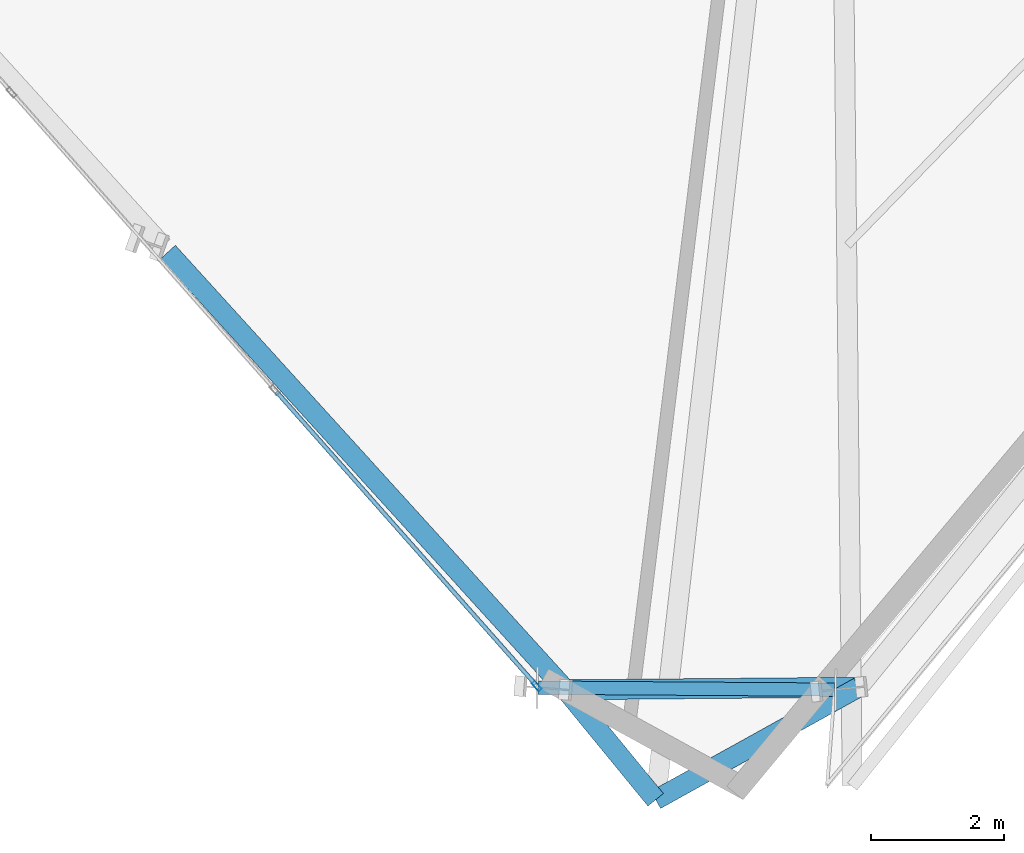
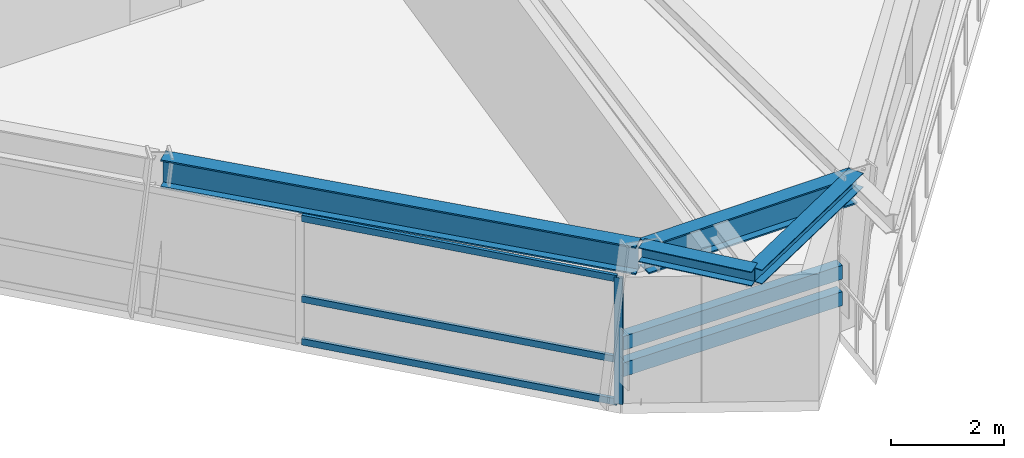
# One storey, part 3 of 13: 6 members, 4 beams, 1 element without a shape of its own.
"""IFC4 building model written with IfcOpenShell, lengths in metres."""

import ifcopenshell
import ifcopenshell.guid

model = None  # the IFC model being written
_history = None  # IfcOwnerHistory: only IFC2X3 demands one
_inside = {}  # id of a spatial element -> (the spatial element, [elements in it])
_under = {}  # id of a project, library or spatial element -> (it, [spatial elements below it])
_declared = {}  # id of a project -> (the project, [libraries it declares])
_typed = {}  # id of a type object -> (the type object, [elements of that type])
_made_of = {}  # id of a material, layer set ... -> (it, [elements and type objects made of it])


def new_model(schema):
    """Start an empty IFC model of exactly this schema.

    Asked for "IFC4X3", IfcOpenShell would pick the latest addendum, in which some entities
    have other attributes; the version numbers below select the first issue.
    IFC2X3 requires an IfcOwnerHistory on every rooted entity: one is made here for all.
    """
    global model, _history
    if schema == "IFC4X3":
        model = ifcopenshell.file(schema_version=(4, 3, 0, 0))
    else:
        model = ifcopenshell.file(schema=schema)
    _inside.clear()
    _under.clear()
    _declared.clear()
    _typed.clear()
    _made_of.clear()
    _history = None
    if model.schema == "IFC2X3":
        org = make("IfcOrganization", Name="unknown")
        user = make(
            "IfcPersonAndOrganization",
            ThePerson=make("IfcPerson", FamilyName="unknown"),
            TheOrganization=org,
        )
        app = make(
            "IfcApplication",
            ApplicationDeveloper=org,
            Version="unknown",
            ApplicationFullName="unknown",
            ApplicationIdentifier="unknown",
        )
        _history = make(
            "IfcOwnerHistory",
            OwningUser=user,
            OwningApplication=app,
            ChangeAction="ADDED",
            CreationDate=0,
        )
    return model


def make(cls, **values):
    """One entity of the class cls with the attributes given. An attribute that is None is left unset."""
    return model.create_entity(
        cls, **{name: value for name, value in values.items() if value is not None}
    )


def rooted(cls, **values):
    """An entity with a GlobalId (a new one), such as an element, a storey or a relation."""
    return make(cls, GlobalId=ifcopenshell.guid.new(), OwnerHistory=_history, **values)


def si_unit(unit_type, name, prefix=None):
    """IfcSIUnit, for example si_unit("LENGTHUNIT", "METRE", prefix="MILLI")."""
    return make("IfcSIUnit", UnitType=unit_type, Prefix=prefix, Name=name)


def assignment(units):
    """IfcUnitAssignment: the units of a project."""
    return None if units is None else make("IfcUnitAssignment", Units=units)


def point(xyz):
    """IfcCartesianPoint."""
    return None if xyz is None else make("IfcCartesianPoint", Coordinates=xyz)


def direction(xyz):
    """IfcDirection."""
    return None if xyz is None else make("IfcDirection", DirectionRatios=xyz)


def frame(location, z_axis=None, x_axis=None):
    """IfcAxis2Placement3D, a coordinate frame: its origin and axes. An axis left out is left unset."""
    return make(
        "IfcAxis2Placement3D",
        Location=point(location),
        Axis=direction(z_axis),
        RefDirection=direction(x_axis),
    )


def frame_2d(location, x_axis=None):
    """IfcAxis2Placement2D, a coordinate frame in the plane: its origin and x axis."""
    return make(
        "IfcAxis2Placement2D", Location=point(location), RefDirection=direction(x_axis)
    )


def origin():
    """The frame at (0, 0, 0) with its axes left unset."""
    return frame((0.0, 0.0, 0.0))


def origin_2d():
    """The frame at (0, 0) in the plane with its x axis left unset."""
    return frame_2d((0.0, 0.0))


def place(relative_to, where):
    """IfcLocalPlacement: puts the frame where relative to a parent placement (None: the world)."""
    return make(
        "IfcLocalPlacement", PlacementRelTo=relative_to, RelativePlacement=where
    )


def context(
    kind, dimensions, precision=None, world=None, true_north=None, identifier=None
):
    """IfcGeometricRepresentationContext, for example the 3D "Model" context."""
    return make(
        "IfcGeometricRepresentationContext",
        ContextIdentifier=identifier,
        ContextType=kind,
        CoordinateSpaceDimension=dimensions,
        Precision=precision,
        WorldCoordinateSystem=world,
        TrueNorth=true_north,
    )


def subcontext(parent, identifier, kind, view, scale=None):
    """IfcGeometricRepresentationSubContext, for example "Body" below "Model"."""
    return make(
        "IfcGeometricRepresentationSubContext",
        ContextIdentifier=identifier,
        ContextType=kind,
        ParentContext=parent,
        TargetScale=scale,
        TargetView=view,
    )


def project(units=None, contexts=None):
    """IfcProject with its units and contexts."""
    return rooted(
        "IfcProject",
        Name="project",
        RepresentationContexts=contexts,
        UnitsInContext=assignment(units),
    )


def spatial(cls, under=None, at=None, **own):
    """A site, building, storey or space (cls), placed at a placement, below another one or the project."""
    s = rooted(cls, ObjectPlacement=at, **own)
    if under is not None:
        _under.setdefault(under.id(), (under, []))[1].append(s)
    return s


def profile(cls, at=None, kind="AREA", **sizes):
    """A parametric profile (cls). Its sizes go by their IFC names, for example OverallWidth=200.0."""
    return make(cls, ProfileType=kind, Position=at, **sizes)


def hollow_rectangle(**sizes):
    """IfcRectangleHollowProfileDef."""
    return profile("IfcRectangleHollowProfileDef", **sizes)


def i_section(**sizes):
    """IfcIShapeProfileDef."""
    return profile("IfcIShapeProfileDef", **sizes)


def extrude(swept, where, along, depth):
    """IfcExtrudedAreaSolid: the profile swept, set in the frame where, extruded along a direction by depth."""
    return make(
        "IfcExtrudedAreaSolid",
        SweptArea=swept,
        Position=where,
        ExtrudedDirection=direction(along),
        Depth=depth,
    )


def shape(context_of_items, identifier, shape_type, items):
    """IfcShapeRepresentation: the items that make up one representation, for example the "Body"."""
    return make(
        "IfcShapeRepresentation",
        ContextOfItems=context_of_items,
        RepresentationIdentifier=identifier,
        RepresentationType=shape_type,
        Items=items,
    )


def source(mapping_origin, context_of_items, identifier, shape_type, items):
    """IfcRepresentationMap: a shape defined once, which mapped items show again and again."""
    return make(
        "IfcRepresentationMap",
        MappingOrigin=mapping_origin,
        MappedRepresentation=shape(context_of_items, identifier, shape_type, items),
    )


def transform(
    local_origin,
    x_axis=None,
    y_axis=None,
    z_axis=None,
    scale=None,
    scale2=None,
    scale3=None,
    uniform=True,
):
    """IfcCartesianTransformationOperator3D, or its non-uniform kind. x_axis, y_axis, z_axis: its Axis1, 2, 3."""
    if uniform:
        return make(
            "IfcCartesianTransformationOperator3D",
            Axis1=direction(x_axis),
            Axis2=direction(y_axis),
            LocalOrigin=point(local_origin),
            Scale=scale,
            Axis3=direction(z_axis),
        )
    return make(
        "IfcCartesianTransformationOperator3DnonUniform",
        Axis1=direction(x_axis),
        Axis2=direction(y_axis),
        LocalOrigin=point(local_origin),
        Scale=scale,
        Axis3=direction(z_axis),
        Scale2=scale2,
        Scale3=scale3,
    )


def mapped(mapping_source, mapping_target):
    """IfcMappedItem: shows the shape of a source again, moved by a transform."""
    return make(
        "IfcMappedItem", MappingSource=mapping_source, MappingTarget=mapping_target
    )


def material(Name=None, Category=None):
    """IfcMaterial."""
    return make("IfcMaterial", Name=Name, Category=Category)


def material_profile(
    of_material, cross_section, Name=None, Category=None, Priority=None
):
    """IfcMaterialProfile: a cross section and its material."""
    return make(
        "IfcMaterialProfile",
        Name=Name,
        Material=of_material,
        Profile=cross_section,
        Priority=Priority,
        Category=Category,
    )


def profile_set(profiles, Name=None, composite=None):
    """IfcMaterialProfileSet."""
    return make(
        "IfcMaterialProfileSet",
        Name=Name,
        MaterialProfiles=profiles,
        CompositeProfile=composite,
    )


def made_of(thing, what):
    """Note that an element or type object is made of a material, layer set ...; save() writes the relation."""
    if what is not None:
        _made_of.setdefault(what.id(), (what, []))[1].append(thing)
    return thing


def type_object(cls, material=None, **own):
    """A type object (cls), such as IfcWallType, which elements share."""
    return made_of(rooted(cls, **own), material)


def element(
    cls,
    number,
    at=None,
    inside=None,
    cuts=None,
    type_object=None,
    material=None,
    context=None,
    identifier="Body",
    shape_type=None,
    held_by="IfcProductDefinitionShape",
    body=None,
    shapes=None,
    **own,
):
    """One element of the class cls, such as IfcWall. Its Tag is "e" and its number.

    at: its placement. inside: the storey or other place that contains it. cuts: it is an
    opening in that element (IfcRelVoidsElement). A single representation is given by context,
    identifier, shape_type and body (its items); several are given by shapes. held_by: the class
    of the entity that holds the representations. save() writes the other relations.
    """
    e = rooted(cls, Tag="e%d" % number, ObjectPlacement=at, **own)
    if body is not None:
        shapes = [shape(context, identifier, shape_type, body)]
    if shapes is not None:
        e.Representation = make(held_by, Representations=shapes)
    if inside is not None:
        _inside.setdefault(inside.id(), (inside, []))[1].append(e)
    if cuts is not None:
        rooted(
            "IfcRelVoidsElement", RelatingBuildingElement=cuts, RelatedOpeningElement=e
        )
    if type_object is not None:
        _typed.setdefault(type_object.id(), (type_object, []))[1].append(e)
    return made_of(e, material)


def aggregate(whole, parts):
    """IfcRelAggregates: a whole, such as a stair, and the parts it consists of."""
    return rooted("IfcRelAggregates", RelatingObject=whole, RelatedObjects=parts)


def save(model, path):
    """Write the relations noted so far, then the file.

    IfcRelAggregates (storeys below a building ...), IfcRelContainedInSpatialStructure (elements
    in a storey), IfcRelDefinesByType, IfcRelAssociatesMaterial and IfcRelDeclares: one each for
    every whole, place, type object, material and project.
    """
    for whole, parts in _under.values():
        aggregate(whole, parts)
    for where, things in _inside.values():
        rooted(
            "IfcRelContainedInSpatialStructure",
            RelatedElements=things,
            RelatingStructure=where,
        )
    for kind, things in _typed.values():
        rooted("IfcRelDefinesByType", RelatedObjects=things, RelatingType=kind)
    for what, things in _made_of.values():
        rooted("IfcRelAssociatesMaterial", RelatedObjects=things, RelatingMaterial=what)
    for by, libraries in _declared.values():
        rooted("IfcRelDeclares", RelatingContext=by, RelatedDefinitions=libraries)
    model.write(path)


model = new_model("IFC4")

# Units and contexts
model_context = context("Model", 3, precision=1e-05, world=origin(), true_north=direction((0.0, 1.0)))
body_context = subcontext(model_context, "Body", "Model", "MODEL_VIEW")
ifc_project = project(units=[si_unit("LENGTHUNIT", "METRE"), si_unit("AREAUNIT", "SQUARE_METRE"), si_unit("VOLUMEUNIT", "CUBIC_METRE"), si_unit("PLANEANGLEUNIT", "RADIAN"), si_unit("MASSUNIT", "GRAM", prefix="KILO")], contexts=[model_context])

# Site, building, storey
site_placement = place(None, origin())
site = spatial("IfcSite", under=ifc_project, at=site_placement, CompositionType="ELEMENT")
building_placement = place(site_placement, origin())
building = spatial("IfcBuilding", under=site, at=building_placement, Name="Olszyna Solenne Hotel", CompositionType="ELEMENT")
storey_placement = place(building_placement, frame((0.0, 0.0, 171.449951171875)))
storey = spatial("IfcBuildingStorey", under=building, at=storey_placement, Name="L45", CompositionType="ELEMENT", Elevation=171.449951171875)

# Beams
ifc_material_1 = material(Name="Steel S355J2", Category="steel")
ifc_material_profile_1 = material_profile(ifc_material_1, i_section(OverallWidth=0.300048828125, OverallDepth=0.60009765625, WebThickness=0.015380859375, FlangeThickness=0.030029296875, at=origin_2d()), Name="HEB 600", Category="load-bearing")
ifc_profile_set_1 = profile_set([ifc_material_profile_1], Name="Steel S355J2")
beam_type_1 = type_object("IfcBeamType", Name="BM-S2", PredefinedType="BEAM", material=ifc_profile_set_1)
shared_shape_1 = source(origin(), body_context, "Body", "SweptSolid", [
    extrude(i_section(OverallWidth=0.300048828125, OverallDepth=0.60009765625, WebThickness=0.015380859375, FlangeThickness=0.030029296875, at=origin_2d()), origin(), (0.0, 0.0, 1.0), 8.806884765625),
])
beam_1_placement = place(storey_placement, frame((28.056396484375, 9.01318359375, 3.030029296875), z_axis=(0.672331910059, -0.74024982453, 0.0), x_axis=(0.74024982453, 0.672331910059, 0.0)))
element("IfcBeam", 1, at=beam_1_placement, inside=storey, type_object=beam_type_1, Name="Perimeter spandrel beam BM-S2 B-L45-1341", PredefinedType="BEAM", context=body_context, shape_type="MappedRepresentation", body=[
    mapped(shared_shape_1, transform((0.0, 0.0, 0.0), x_axis=(1.0, 0.0, 0.0), y_axis=(0.0, 1.0, 0.0), z_axis=(0.0, 0.0, 1.0), scale=1.0)),
])
shared_shape_2 = source(origin(), body_context, "Body", "SweptSolid", [
    extrude(i_section(OverallWidth=0.300048828125, OverallDepth=0.60009765625, WebThickness=0.015380859375, FlangeThickness=0.030029296875, at=origin_2d()), origin(), (0.0, 0.0, 1.0), 4.2734375),
])
beam_2_placement = place(storey_placement, frame((34.077880859375, 2.449951171875, 3.030029296875), z_axis=(0.999961796514, 0.008741024674, 0.0), x_axis=(-0.008741024674, 0.999961796514, 0.0)))
element("IfcBeam", 2, at=beam_2_placement, inside=storey, type_object=beam_type_1, Name="Perimeter spandrel beam BM-S2 B-L45-1342", PredefinedType="BEAM", context=body_context, shape_type="MappedRepresentation", body=[
    mapped(shared_shape_2, transform((0.0, 0.0, 0.0), x_axis=(1.0, 0.0, 0.0), y_axis=(0.0, 1.0, 0.0), z_axis=(0.0, 0.0, 1.0), scale=1.0)),
])
ifc_material_profile_2 = material_profile(ifc_material_1, i_section(OverallWidth=0.300048828125, OverallDepth=0.31005859375, WebThickness=0.009033203125, FlangeThickness=0.015380859375, at=origin_2d()), Name="HEA 320", Category="load-bearing")
ifc_profile_set_2 = profile_set([ifc_material_profile_2], Name="Steel S355J2")
beam_type_2 = type_object("IfcBeamType", Name="BM-G3", PredefinedType="BEAM", material=ifc_profile_set_2)
shared_shape_3 = source(origin(), body_context, "Body", "SweptSolid", [
    extrude(i_section(OverallWidth=0.300048828125, OverallDepth=0.31005859375, WebThickness=0.009033203125, FlangeThickness=0.015380859375, at=origin_2d()), origin(), (0.0, 0.0, 1.0), 2.132080078125),
])
beam_3_placement = place(storey_placement, frame((34.017822265625, 2.449462890625, 3.175048828125), z_axis=(0.633674171423, -0.773600054596, 0.0), x_axis=(0.773600054596, 0.633674171423, 0.0)))
element("IfcBeam", 3, at=beam_3_placement, inside=storey, type_object=beam_type_2, Name="Prism side edge beam BM-G3 B-L45-1355", PredefinedType="BEAM", context=body_context, shape_type="MappedRepresentation", body=[
    mapped(shared_shape_3, transform((0.0, 0.0, 0.0), x_axis=(1.0, 0.0, 0.0), y_axis=(0.0, 1.0, 0.0), z_axis=(0.0, 0.0, 1.0), scale=1.0)),
])
shared_shape_4 = source(origin(), body_context, "Body", "SweptSolid", [
    extrude(i_section(OverallWidth=0.300048828125, OverallDepth=0.31005859375, WebThickness=0.009033203125, FlangeThickness=0.015380859375, at=origin_2d()), origin(), (0.0, 0.0, 1.0), 3.47900390625),
])
beam_4_placement = place(storey_placement, frame((38.4111328125, 2.48779296875, 3.175048828125), z_axis=(-0.874448410573, -0.485118518762, 0.0), x_axis=(0.485118518762, -0.874448410573, 0.0)))
element("IfcBeam", 4, at=beam_4_placement, inside=storey, type_object=beam_type_2, Name="Prism side edge beam BM-G3 B-L45-1356", PredefinedType="BEAM", context=body_context, shape_type="MappedRepresentation", body=[
    mapped(shared_shape_4, transform((0.0, 0.0, 0.0), x_axis=(1.0, 0.0, 0.0), y_axis=(0.0, 1.0, 0.0), z_axis=(0.0, 0.0, 1.0), scale=1.0)),
])

# Members
ifc_material_profile_3 = material_profile(ifc_material_1, hollow_rectangle(XDim=0.199951171875, YDim=0.300048828125, WallThickness=0.01611328125, at=origin_2d()), Name="RHS 300x200x16", Category="load-bearing")
ifc_profile_set_3 = profile_set([ifc_material_profile_3], Name="Steel S355J2")
member_type_1 = type_object("IfcMemberType", Name="CH-PR1", PredefinedType="CHORD", material=ifc_profile_set_3)
shared_shape_5 = source(origin(), body_context, "Body", "SweptSolid", [
    extrude(hollow_rectangle(XDim=0.199951171875, YDim=0.300048828125, WallThickness=0.01611328125, at=origin_2d()), origin(), (0.0, 0.0, 1.0), 4.4443359375),
])
for number, where, z_axis, x_axis, name in (
    (5, (33.60791015625, 2.48193359375, 1.35009765625), (0.999975665191, -0.006976318912, 0.0), (0.006976318912, 0.999975665191, 0.0), "Glass-prism tie chord CH-PR1 M-L45-PR1"),
    (6, (33.60791015625, 2.48193359375, 0.780029296875), (0.999975665191, -0.006976318912, 0.0), (0.006976318912, 0.999975665191, 0.0), "Glass-prism tie chord CH-PR1 M-L45-PR2"),
):
    element("IfcMember", number, at=place(storey_placement, frame(where, z_axis=z_axis, x_axis=x_axis)), inside=storey, type_object=member_type_1, Name=name, PredefinedType="CHORD", context=body_context, shape_type="MappedRepresentation", body=[
        mapped(shared_shape_5, transform((0.0, 0.0, 0.0), x_axis=(1.0, 0.0, 0.0), y_axis=(0.0, 1.0, 0.0), z_axis=(0.0, 0.0, 1.0), scale=1.0)),
    ])

# Curtain wall, members
ifc_material_2 = material(Name="Anodised bronze aluminium", Category="aluminium")
curtain_wall_type = type_object("IfcCurtainWallType", Name="CW-SYS-4", PredefinedType="NOTDEFINED", material=ifc_material_2)
curtain_wall_placement = place(storey_placement, origin())
curtain_wall = element("IfcCurtainWall", 7, at=curtain_wall_placement, inside=storey, type_object=curtain_wall_type, Name="Unitised curtain wall CW-SYS-4 CW-L45-01", PredefinedType="NOTDEFINED")
ifc_material_profile_4 = material_profile(ifc_material_2, hollow_rectangle(XDim=0.06494140625, YDim=0.159912109375, WallThickness=0.00390625, at=origin_2d()), Name="MULL 160x65x4", Category="load-bearing")
ifc_profile_set_4 = profile_set([ifc_material_profile_4], Name="Anodised bronze aluminium")
member_type_2 = type_object("IfcMemberType", Name="CW-M3", PredefinedType="MULLION", material=ifc_profile_set_4)
shared_shape_6 = source(origin(), body_context, "Body", "SweptSolid", [
    extrude(hollow_rectangle(XDim=0.06494140625, YDim=0.159912109375, WallThickness=0.00390625, at=origin_2d()), origin(), (0.0, 0.0, 1.0), 2.72216796875),
])
member_1_placement = place(storey_placement, frame((33.58642578125, 2.50634765625, 0.0), z_axis=(0.0, 0.0, 1.0), x_axis=(0.74894839373, 0.662628329857, 0.0)))
member_1 = element("IfcMember", 8, at=member_1_placement, type_object=member_type_2, Name="Curtain-wall mullion CW-M3 CM-L45-01-04", PredefinedType="MULLION", context=body_context, shape_type="MappedRepresentation", body=[
    mapped(shared_shape_6, transform((0.0, 0.0, 0.0), x_axis=(1.0, 0.0, 0.0), y_axis=(0.0, 1.0, 0.0), z_axis=(0.0, 0.0, 1.0), scale=1.0)),
])
ifc_material_profile_5 = material_profile(ifc_material_2, hollow_rectangle(XDim=0.06494140625, YDim=0.139892578125, WallThickness=0.00390625, at=origin_2d()), Name="TRAN 140x65x4", Category="load-bearing")
ifc_profile_set_5 = profile_set([ifc_material_profile_5], Name="Anodised bronze aluminium")
member_type_3 = type_object("IfcMemberType", Name="CW-T2", PredefinedType="USERDEFINED", material=ifc_profile_set_5)
shared_shape_7 = source(origin(), body_context, "Body", "SweptSolid", [
    extrude(hollow_rectangle(XDim=0.06494140625, YDim=0.139892578125, WallThickness=0.00390625, at=origin_2d()), origin(), (0.0, 0.0, 1.0), 5.85986328125),
])
member_2_placement = place(storey_placement, frame((29.681884765625, 6.919189453125, 0.032470703125), z_axis=(0.662647592846, -0.748931350456, 0.0), x_axis=(0.748931350456, 0.662647592846, 0.0)))
member_2 = element("IfcMember", 9, at=member_2_placement, type_object=member_type_3, Name="Curtain-wall transom CW-T2 CT-L45-01-07", ObjectType="TRANSOM", PredefinedType="USERDEFINED", context=body_context, shape_type="MappedRepresentation", body=[
    mapped(shared_shape_7, transform((0.0, 0.0, 0.0), x_axis=(1.0, 0.0, 0.0), y_axis=(0.0, 1.0, 0.0), z_axis=(0.0, 0.0, 1.0), scale=1.0)),
])
member_3_placement = place(storey_placement, frame((29.681884765625, 6.919189453125, 0.949951171875), z_axis=(0.662647592846, -0.748931350456, 0.0), x_axis=(0.748931350456, 0.662647592846, 0.0)))
member_3 = element("IfcMember", 10, at=member_3_placement, type_object=member_type_3, Name="Curtain-wall transom CW-T2 CT-L45-01-08", ObjectType="TRANSOM", PredefinedType="USERDEFINED", context=body_context, shape_type="MappedRepresentation", body=[
    mapped(shared_shape_7, transform((0.0, 0.0, 0.0), x_axis=(1.0, 0.0, 0.0), y_axis=(0.0, 1.0, 0.0), z_axis=(0.0, 0.0, 1.0), scale=1.0)),
])
member_4_placement = place(storey_placement, frame((29.681884765625, 6.919189453125, 2.689453125), z_axis=(0.662647592846, -0.748931350456, 0.0), x_axis=(0.748931350456, 0.662647592846, 0.0)))
member_4 = element("IfcMember", 11, at=member_4_placement, type_object=member_type_3, Name="Curtain-wall transom CW-T2 CT-L45-01-09", ObjectType="TRANSOM", PredefinedType="USERDEFINED", context=body_context, shape_type="MappedRepresentation", body=[
    mapped(shared_shape_7, transform((0.0, 0.0, 0.0), x_axis=(1.0, 0.0, 0.0), y_axis=(0.0, 1.0, 0.0), z_axis=(0.0, 0.0, 1.0), scale=1.0)),
])
aggregate(curtain_wall, [member_1, member_2, member_3, member_4])

save(model, "model.ifc")
